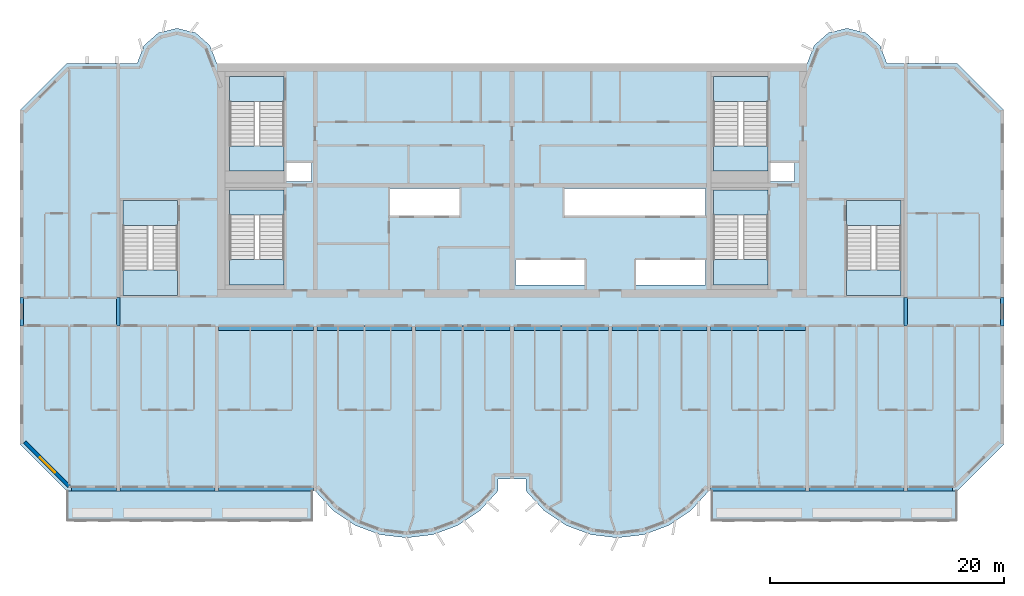
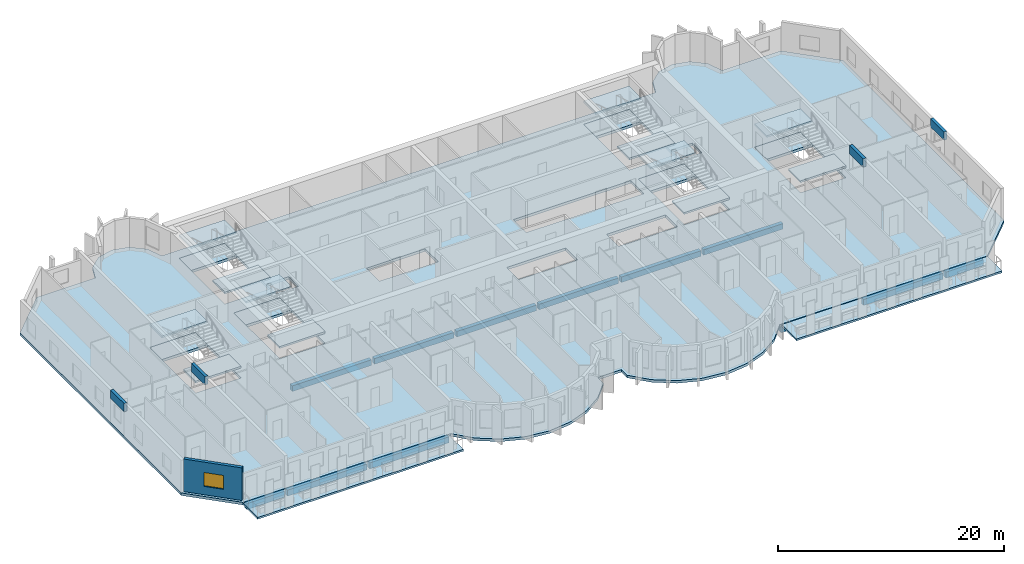
# One storey, part 1 of 13: 21 slabs, 16 beams, 1 wall, 1 window, 1 opening, 6 elements without a shape of their own.
"""IFC4 building model written with IfcOpenShell, lengths in metres."""

from ifc_helpers import new_model, si_unit, direction, frame, frame_2d, origin, origin_2d, place, context, subcontext, project, spatial, polyline, rectangle, outline, extrude, source, transform, mapped, material, layer, layer_set, material_profile, profile_set, type_object, element, fill, aggregate, save


model = new_model("IFC4")

# Units and contexts
model_context = context("Model", 3, precision=1e-05, world=origin(), true_north=direction((0.0, 1.0)))
body_context = subcontext(model_context, "Body", "Model", "MODEL_VIEW")
ifc_project = project(units=[si_unit("LENGTHUNIT", "METRE"), si_unit("AREAUNIT", "SQUARE_METRE"), si_unit("VOLUMEUNIT", "CUBIC_METRE"), si_unit("PLANEANGLEUNIT", "RADIAN"), si_unit("MASSUNIT", "GRAM", prefix="KILO")], contexts=[model_context])

# Site, building, storey
site_placement = place(None, origin())
site = spatial("IfcSite", under=ifc_project, at=site_placement, CompositionType="ELEMENT")
building_placement = place(site_placement, origin())
building = spatial("IfcBuilding", under=site, at=building_placement, Name="Vanashikhar Sky Hotel", CompositionType="ELEMENT")
storey_placement = place(building_placement, frame((0.0, 0.0, 182.0)))
storey = spatial("IfcBuildingStorey", under=building, at=storey_placement, Name="L44", CompositionType="ELEMENT", Elevation=182.0)

# Beams
ifc_material_1 = material(Name="Concrete M50", Category="concrete")
ifc_material_profile_1 = material_profile(ifc_material_1, rectangle(XDim=0.300048828125, YDim=0.89990234375, at=origin_2d()))
ifc_profile_set_1 = profile_set([ifc_material_profile_1], Name="RC 300x900 beam Concrete M50")
beam_type_1 = type_object("IfcBeamType", Name="RC 300x900 beam Concrete M50", PredefinedType="LINTEL", material=ifc_profile_set_1)
shared_shape_1 = source(origin(), body_context, "Body", "SweptSolid", [
    extrude(rectangle(XDim=0.300048828125, YDim=0.89990234375, at=origin_2d()), origin(), (0.0, 0.0, 1.0), 2.39990234375),
])
for number, where, z_axis, x_axis, name in (
    (1, (8.550048828125, 19.60009765625, 3.070068359375), (0.0, 1.0, 0.0), (-1.0, 0.0, 0.0), "LB-L44-XW02"),
    (2, (16.800048828125, 19.60009765625, 3.070068359375), (0.0, 1.0, 0.0), (-1.0, 0.0, 0.0), "LB-L44-XW03"),
    (3, (84.0, 19.60009765625, 3.070068359375), (0.0, 1.0, 0.0), (-1.0, 0.0, 0.0), "LB-L44-XW11"),
    (4, (92.25, 19.60009765625, 3.070068359375), (0.0, 1.0, 0.0), (-1.0, 0.0, 0.0), "LB-L44-XW12"),
):
    element("IfcBeam", number, at=place(storey_placement, frame(where, z_axis=z_axis, x_axis=x_axis)), inside=storey, type_object=beam_type_1, Name=name, PredefinedType="LINTEL", context=body_context, shape_type="MappedRepresentation", body=[
        mapped(shared_shape_1, transform((0.0, 0.0, 0.0), scale=1.0)),
    ])
ifc_material_profile_2 = material_profile(ifc_material_1, rectangle(XDim=0.39990234375, YDim=0.64990234375, at=origin_2d()))
ifc_profile_set_2 = profile_set([ifc_material_profile_2], Name="RC 400x650 beam Concrete M50")
beam_type_2 = type_object("IfcBeamType", Name="RC 400x650 beam Concrete M50", PredefinedType="BEAM", material=ifc_profile_set_2)
shared_shape_2 = source(origin(), body_context, "Body", "SweptSolid", [
    extrude(rectangle(XDim=0.39990234375, YDim=0.64990234375, at=origin_2d()), origin(), (0.0, 0.0, 1.0), 8.10009765625),
])
for number, where, z_axis, x_axis, name in (
    (5, (16.949951171875, 5.699951171875, -0.60498046875), (1.0, 0.0, 0.0), (0.0, 1.0, 0.0), "EB-L44-F01"),
    (6, (75.75, 5.699951171875, -0.60498046875), (1.0, 0.0, 0.0), (0.0, 1.0, 0.0), "EB-L44-F05"),
):
    element("IfcBeam", number, at=place(storey_placement, frame(where, z_axis=z_axis, x_axis=x_axis)), inside=storey, type_object=beam_type_2, Name=name, PredefinedType="BEAM", context=body_context, shape_type="MappedRepresentation", body=[
        mapped(shared_shape_2, transform((0.0, 0.0, 0.0), scale=1.0)),
    ])
shared_shape_3 = source(origin(), body_context, "Body", "SweptSolid", [
    extrude(rectangle(XDim=0.39990234375, YDim=0.64990234375, at=origin_2d()), origin(), (0.0, 0.0, 1.0), 8.099853515625),
])
for number, where, z_axis, x_axis, name in (
    (7, (25.35009765625, 5.699951171875, -0.60498046875), (1.0, 0.0, 0.0), (0.0, 1.0, 0.0), "EB-L44-F02"),
    (8, (67.35009765625, 5.699951171875, -0.60498046875), (1.0, 0.0, 0.0), (0.0, 1.0, 0.0), "EB-L44-F04"),
):
    element("IfcBeam", number, at=place(storey_placement, frame(where, z_axis=z_axis, x_axis=x_axis)), inside=storey, type_object=beam_type_2, Name=name, PredefinedType="BEAM", context=body_context, shape_type="MappedRepresentation", body=[
        mapped(shared_shape_3, transform((0.0, 0.0, 0.0), scale=1.0)),
    ])
ifc_material_profile_3 = material_profile(ifc_material_1, rectangle(XDim=0.39990234375, YDim=0.64990234375, at=origin_2d()))
ifc_profile_set_3 = profile_set([ifc_material_profile_3], Name="RC 400x650 cantilever beam Concrete M50")
beam_type_3 = type_object("IfcBeamType", Name="RC 400x650 cantilever beam Concrete M50", PredefinedType="SPANDREL", material=ifc_profile_set_3)
shared_shape_4 = source(origin(), body_context, "Body", "SweptSolid", [
    extrude(rectangle(XDim=0.39990234375, YDim=0.64990234375, at=origin_2d()), origin(), (0.0, 0.0, 1.0), 3.849853515625),
])
beam_1_placement = place(storey_placement, frame((12.800048828125, 5.699951171875, -0.60498046875), z_axis=(1.0, 0.0, 0.0), x_axis=(0.0, 1.0, 0.0)))
element("IfcBeam", 9, at=beam_1_placement, inside=storey, type_object=beam_type_3, Name="EB-L44-F03", PredefinedType="SPANDREL", context=body_context, shape_type="MappedRepresentation", body=[
    mapped(shared_shape_4, transform((0.0, 0.0, 0.0), scale=1.0)),
])
shared_shape_5 = source(origin(), body_context, "Body", "SweptSolid", [
    extrude(rectangle(XDim=0.39990234375, YDim=0.64990234375, at=origin_2d()), origin(), (0.0, 0.0, 1.0), 3.85009765625),
])
beam_2_placement = place(storey_placement, frame((84.14990234375, 5.699951171875, -0.60498046875), z_axis=(1.0, 0.0, 0.0), x_axis=(0.0, 1.0, 0.0)))
element("IfcBeam", 10, at=beam_2_placement, inside=storey, type_object=beam_type_3, Name="EB-L44-F06", PredefinedType="SPANDREL", context=body_context, shape_type="MappedRepresentation", body=[
    mapped(shared_shape_5, transform((0.0, 0.0, 0.0), scale=1.0)),
])
ifc_material_profile_4 = material_profile(ifc_material_1, rectangle(XDim=0.39990234375, YDim=0.60009765625, at=origin_2d()))
ifc_profile_set_4 = profile_set([ifc_material_profile_4], Name="RC 400x600 beam Concrete M50")
beam_type_4 = type_object("IfcBeamType", Name="RC 400x600 beam Concrete M50", PredefinedType="BEAM", material=ifc_profile_set_4)
shared_shape_6 = source(origin(), body_context, "Body", "SweptSolid", [
    extrude(rectangle(XDim=0.39990234375, YDim=0.60009765625, at=origin_2d()), origin(), (0.0, 0.0, 1.0), 8.099853515625),
])
for number, where, z_axis, x_axis, name in (
    (11, (25.35009765625, 19.39990234375, -0.580078125), (1.0, 0.0, 0.0), (0.0, 1.0, 0.0), "CB-L44-01"),
    (12, (50.550048828125, 19.39990234375, -0.580078125), (1.0, 0.0, 0.0), (0.0, 1.0, 0.0), "CB-L44-04"),
    (13, (67.35009765625, 19.39990234375, -0.580078125), (1.0, 0.0, 0.0), (0.0, 1.0, 0.0), "CB-L44-06"),
):
    element("IfcBeam", number, at=place(storey_placement, frame(where, z_axis=z_axis, x_axis=x_axis)), inside=storey, type_object=beam_type_4, Name=name, PredefinedType="BEAM", context=body_context, shape_type="MappedRepresentation", body=[
        mapped(shared_shape_6, transform((0.0, 0.0, 0.0), scale=1.0)),
    ])
shared_shape_7 = source(origin(), body_context, "Body", "SweptSolid", [
    extrude(rectangle(XDim=0.39990234375, YDim=0.60009765625, at=origin_2d()), origin(), (0.0, 0.0, 1.0), 8.10009765625),
])
for number, where, z_axis, x_axis, name in (
    (14, (33.75, 19.39990234375, -0.580078125), (1.0, 0.0, 0.0), (0.0, 1.0, 0.0), "CB-L44-02"),
    (15, (42.14990234375, 19.39990234375, -0.580078125), (1.0, 0.0, 0.0), (0.0, 1.0, 0.0), "CB-L44-03"),
    (16, (58.949951171875, 19.39990234375, -0.580078125), (1.0, 0.0, 0.0), (0.0, 1.0, 0.0), "CB-L44-05"),
):
    element("IfcBeam", number, at=place(storey_placement, frame(where, z_axis=z_axis, x_axis=x_axis)), inside=storey, type_object=beam_type_4, Name=name, PredefinedType="BEAM", context=body_context, shape_type="MappedRepresentation", body=[
        mapped(shared_shape_7, transform((0.0, 0.0, 0.0), scale=1.0)),
    ])

# Slabs
ifc_material_2 = material(Name="Concrete M40", Category="concrete")
ifc_layer_1 = layer(ifc_material_2, 0.280029296875)
ifc_layer_set_1 = layer_set([ifc_layer_1], Name="Floor slab 280 mm")
slab_type_1 = type_object("IfcSlabType", Name="Floor slab 280 mm", PredefinedType="FLOOR", material=ifc_layer_set_1)
shared_shape_8 = source(origin(), body_context, "Body", "SweptSolid", [
    extrude(outline(polyline([(49.199951171875, 5.5), (49.199951171875, 6.5), (51.60009765625, 6.5), (51.60009765625, 5.5), (53.133056640625, 3.825927734375), (55.01708984375, 2.55810546875), (57.14599609375, 1.76806640625), (59.39990234375, 1.5), (61.654052734375, 1.76806640625), (63.782958984375, 2.55810546875), (65.6669921875, 3.825927734375), (67.199951171875, 5.5), (88.39990234375, 5.5), (92.39990234375, 9.5), (92.39990234375, 38.0), (88.39990234375, 42.0), (82.39990234375, 42.0), (81.81494140625, 43.527099609375), (80.587890625, 44.610107421875), (79.0, 45.0), (77.412109375, 44.610107421875), (76.18505859375, 43.527099609375), (75.60009765625, 42.0), (25.199951171875, 42.0), (24.614990234375, 43.527099609375), (23.387939453125, 44.610107421875), (21.800048828125, 45.0), (20.2119140625, 44.610107421875), (18.985107421875, 43.527099609375), (18.39990234375, 42.0), (12.39990234375, 42.0), (8.39990234375, 38.0), (8.39990234375, 9.5), (12.39990234375, 5.5), (33.60009765625, 5.5), (35.133056640625, 3.825927734375), (37.01708984375, 2.55810546875), (39.14599609375, 1.76806640625), (41.39990234375, 1.5), (43.654052734375, 1.76806640625), (45.782958984375, 2.55810546875), (47.6669921875, 3.825927734375), (49.199951171875, 5.5)]), holes=[polyline([(33.300048828125, 33.60009765625), (31.050048828125, 33.60009765625), (31.050048828125, 31.89990234375), (33.300048828125, 31.89990234375), (33.300048828125, 33.60009765625)]), polyline([(39.89990234375, 31.300048828125), (39.89990234375, 29.0), (45.89990234375, 29.0), (45.89990234375, 31.300048828125), (39.89990234375, 31.300048828125)]), polyline([(50.699951171875, 25.199951171875), (50.699951171875, 23.10009765625), (56.699951171875, 23.10009765625), (56.699951171875, 25.199951171875), (50.699951171875, 25.199951171875)]), polyline([(66.89990234375, 29.0), (66.89990234375, 31.300048828125), (54.89990234375, 31.300048828125), (54.89990234375, 29.0), (66.89990234375, 29.0)]), polyline([(60.89990234375, 25.199951171875), (60.89990234375, 23.10009765625), (66.89990234375, 23.10009765625), (66.89990234375, 25.199951171875), (60.89990234375, 25.199951171875)]), polyline([(74.5, 33.60009765625), (72.35009765625, 33.60009765625), (72.35009765625, 31.89990234375), (74.5, 31.89990234375), (74.5, 33.60009765625)]), polyline([(30.949951171875, 23.10009765625), (30.949951171875, 31.199951171875), (26.300048828125, 31.199951171875), (26.300048828125, 23.10009765625), (30.949951171875, 23.10009765625)]), polyline([(72.25, 23.10009765625), (72.25, 31.199951171875), (67.60009765625, 31.199951171875), (67.60009765625, 23.10009765625), (72.25, 23.10009765625)]), polyline([(30.949951171875, 32.800048828125), (30.949951171875, 40.89990234375), (26.300048828125, 40.89990234375), (26.300048828125, 32.800048828125), (30.949951171875, 32.800048828125)]), polyline([(72.25, 32.800048828125), (72.25, 40.89990234375), (67.60009765625, 40.89990234375), (67.60009765625, 32.800048828125), (72.25, 32.800048828125)]), polyline([(83.60009765625, 22.199951171875), (83.60009765625, 30.300048828125), (78.949951171875, 30.300048828125), (78.949951171875, 22.199951171875), (83.60009765625, 22.199951171875)]), polyline([(21.85009765625, 22.199951171875), (21.85009765625, 30.300048828125), (17.199951171875, 30.300048828125), (17.199951171875, 22.199951171875), (21.85009765625, 22.199951171875)])]), origin(), (0.0, 0.0, 1.0), 0.280029296875),
])
slab_1_placement = place(storey_placement, frame((0.0, 0.0, -0.280029296875)))
element("IfcSlab", 17, at=slab_1_placement, inside=storey, type_object=slab_type_1, Name="Floor slab L44", PredefinedType="FLOOR", context=body_context, shape_type="MappedRepresentation", body=[
    mapped(shared_shape_8, transform((0.0, 0.0, 0.0), scale=1.0)),
])
ifc_layer_2 = layer(ifc_material_2, 0.199951171875)
ifc_layer_set_2 = layer_set([ifc_layer_2], Name="Balcony slab 200 mm")
slab_type_2 = type_object("IfcSlabType", Name="Balcony slab 200 mm", PredefinedType="USERDEFINED", material=ifc_layer_set_2)
shared_shape_9 = source(origin(), body_context, "Body", "SweptSolid", [
    extrude(outline(polyline([(12.39990234375, 2.89990234375), (33.39990234375, 2.89990234375), (33.39990234375, 5.5), (12.39990234375, 5.5), (12.39990234375, 2.89990234375)])), origin(), (0.0, 0.0, 1.0), 0.199951171875),
])
slab_2_placement = place(storey_placement, frame((0.0, 0.0, -0.25)))
element("IfcSlab", 18, at=slab_2_placement, inside=storey, type_object=slab_type_2, Name="Balcony slab L44 1", ObjectType="BALCONY", PredefinedType="USERDEFINED", context=body_context, shape_type="MappedRepresentation", body=[
    mapped(shared_shape_9, transform((0.0, 0.0, 0.0), scale=1.0)),
])
shared_shape_10 = source(origin(), body_context, "Body", "SweptSolid", [
    extrude(outline(polyline([(67.39990234375, 2.89990234375), (88.39990234375, 2.89990234375), (88.39990234375, 5.5), (67.39990234375, 5.5), (67.39990234375, 2.89990234375)])), origin(), (0.0, 0.0, 1.0), 0.199951171875),
])
slab_3_placement = place(storey_placement, frame((0.0, 0.0, -0.25)))
element("IfcSlab", 19, at=slab_3_placement, inside=storey, type_object=slab_type_2, Name="Balcony slab L44 2", ObjectType="BALCONY", PredefinedType="USERDEFINED", context=body_context, shape_type="MappedRepresentation", body=[
    mapped(shared_shape_10, transform((0.0, 0.0, 0.0), scale=1.0)),
])

# Stair, slabs
stair_type = type_object("IfcStairType", Name="Exit stair 2150", PredefinedType="DOUBLE_RETURN_STAIR", material=ifc_material_2)
stair_1_placement = place(storey_placement, origin())
stair_1 = element("IfcStair", 20, at=stair_1_placement, inside=storey, type_object=stair_type, Name="L44 Exit stair 1", PredefinedType="DOUBLE_RETURN_STAIR")
ifc_layer_3 = layer(ifc_material_2, 0.199951171875)
ifc_layer_set_3 = layer_set([ifc_layer_3], Name="Stair landing 200")
slab_type_3 = type_object("IfcSlabType", Name="Stair landing 200", PredefinedType="LANDING", material=ifc_layer_set_3)
shared_shape_11 = source(origin(), body_context, "Body", "SweptSolid", [
    extrude(outline(polyline([(30.949951171875, 23.10009765625), (30.949951171875, 25.25), (26.300048828125, 25.25), (26.300048828125, 23.10009765625), (30.949951171875, 23.10009765625)])), origin(), (0.0, 0.0, 1.0), 0.199951171875),
])
slab_4_placement = place(storey_placement, frame((0.0, 0.0, 1.066650390625)))
slab_4 = element("IfcSlab", 21, at=slab_4_placement, type_object=slab_type_3, Name="ST-C1 landing 1", PredefinedType="LANDING", context=body_context, shape_type="MappedRepresentation", body=[
    mapped(shared_shape_11, transform((0.0, 0.0, 0.0), scale=1.0)),
])
shared_shape_12 = source(origin(), body_context, "Body", "SweptSolid", [
    extrude(outline(polyline([(30.949951171875, 29.050048828125), (30.949951171875, 31.199951171875), (26.300048828125, 31.199951171875), (26.300048828125, 29.050048828125), (30.949951171875, 29.050048828125)])), origin(), (0.0, 0.0, 1.0), 0.2001953125),
])
slab_5_placement = place(storey_placement, frame((0.0, 0.0, 2.333251953125)))
slab_5 = element("IfcSlab", 22, at=slab_5_placement, type_object=slab_type_3, Name="ST-C1 landing 2", PredefinedType="LANDING", context=body_context, shape_type="MappedRepresentation", body=[
    mapped(shared_shape_12, transform((0.0, 0.0, 0.0), scale=1.0)),
])
aggregate(stair_1, [slab_4, slab_5])

# Slab
ifc_layer_4 = layer(ifc_material_2, 0.280029296875)
ifc_layer_set_4 = layer_set([ifc_layer_4], Name="Stair floor landing 280")
slab_type_4 = type_object("IfcSlabType", Name="Stair floor landing 280", PredefinedType="LANDING", material=ifc_layer_set_4)
shared_shape_13 = source(origin(), body_context, "Body", "SweptSolid", [
    extrude(outline(polyline([(30.949951171875, 29.050048828125), (30.949951171875, 31.199951171875), (26.300048828125, 31.199951171875), (26.300048828125, 29.050048828125), (30.949951171875, 29.050048828125)])), origin(), (0.0, 0.0, 1.0), 0.280029296875),
])
slab_6_placement = place(storey_placement, frame((0.0, 0.0, -0.280029296875)))
element("IfcSlab", 23, at=slab_6_placement, inside=storey, type_object=slab_type_4, Name="Exit stair 1 floor landing", PredefinedType="LANDING", context=body_context, shape_type="MappedRepresentation", body=[
    mapped(shared_shape_13, transform((0.0, 0.0, 0.0), scale=1.0)),
])

# Stair, slabs
stair_2_placement = place(storey_placement, origin())
stair_2 = element("IfcStair", 24, at=stair_2_placement, inside=storey, type_object=stair_type, Name="L44 Exit stair 2", PredefinedType="DOUBLE_RETURN_STAIR")
shared_shape_14 = source(origin(), body_context, "Body", "SweptSolid", [
    extrude(outline(polyline([(72.25, 23.10009765625), (72.25, 25.25), (67.60009765625, 25.25), (67.60009765625, 23.10009765625), (72.25, 23.10009765625)])), origin(), (0.0, 0.0, 1.0), 0.199951171875),
])
slab_7_placement = place(storey_placement, frame((0.0, 0.0, 1.066650390625)))
slab_7 = element("IfcSlab", 25, at=slab_7_placement, type_object=slab_type_3, Name="ST-C2 landing 1", PredefinedType="LANDING", context=body_context, shape_type="MappedRepresentation", body=[
    mapped(shared_shape_14, transform((0.0, 0.0, 0.0), scale=1.0)),
])
shared_shape_15 = source(origin(), body_context, "Body", "SweptSolid", [
    extrude(outline(polyline([(72.25, 29.050048828125), (72.25, 31.199951171875), (67.60009765625, 31.199951171875), (67.60009765625, 29.050048828125), (72.25, 29.050048828125)])), origin(), (0.0, 0.0, 1.0), 0.2001953125),
])
slab_8_placement = place(storey_placement, frame((0.0, 0.0, 2.333251953125)))
slab_8 = element("IfcSlab", 26, at=slab_8_placement, type_object=slab_type_3, Name="ST-C2 landing 2", PredefinedType="LANDING", context=body_context, shape_type="MappedRepresentation", body=[
    mapped(shared_shape_15, transform((0.0, 0.0, 0.0), scale=1.0)),
])
aggregate(stair_2, [slab_7, slab_8])

# Slab
shared_shape_16 = source(origin(), body_context, "Body", "SweptSolid", [
    extrude(outline(polyline([(72.25, 29.050048828125), (72.25, 31.199951171875), (67.60009765625, 31.199951171875), (67.60009765625, 29.050048828125), (72.25, 29.050048828125)])), origin(), (0.0, 0.0, 1.0), 0.280029296875),
])
slab_9_placement = place(storey_placement, frame((0.0, 0.0, -0.280029296875)))
element("IfcSlab", 27, at=slab_9_placement, inside=storey, type_object=slab_type_4, Name="Exit stair 2 floor landing", PredefinedType="LANDING", context=body_context, shape_type="MappedRepresentation", body=[
    mapped(shared_shape_16, transform((0.0, 0.0, 0.0), scale=1.0)),
])

# Stair, slabs
stair_3_placement = place(storey_placement, origin())
stair_3 = element("IfcStair", 28, at=stair_3_placement, inside=storey, type_object=stair_type, Name="L44 Exit stair 3", PredefinedType="DOUBLE_RETURN_STAIR")
shared_shape_17 = source(origin(), body_context, "Body", "SweptSolid", [
    extrude(outline(polyline([(21.85009765625, 22.199951171875), (21.85009765625, 24.35009765625), (17.199951171875, 24.35009765625), (17.199951171875, 22.199951171875), (21.85009765625, 22.199951171875)])), origin(), (0.0, 0.0, 1.0), 0.199951171875),
])
slab_10_placement = place(storey_placement, frame((0.0, 0.0, 1.066650390625)))
slab_10 = element("IfcSlab", 29, at=slab_10_placement, type_object=slab_type_3, Name="ST-W landing 1", PredefinedType="LANDING", context=body_context, shape_type="MappedRepresentation", body=[
    mapped(shared_shape_17, transform((0.0, 0.0, 0.0), scale=1.0)),
])
shared_shape_18 = source(origin(), body_context, "Body", "SweptSolid", [
    extrude(outline(polyline([(21.85009765625, 28.14990234375), (21.85009765625, 30.300048828125), (17.199951171875, 30.300048828125), (17.199951171875, 28.14990234375), (21.85009765625, 28.14990234375)])), origin(), (0.0, 0.0, 1.0), 0.2001953125),
])
slab_11_placement = place(storey_placement, frame((0.0, 0.0, 2.333251953125)))
slab_11 = element("IfcSlab", 30, at=slab_11_placement, type_object=slab_type_3, Name="ST-W landing 2", PredefinedType="LANDING", context=body_context, shape_type="MappedRepresentation", body=[
    mapped(shared_shape_18, transform((0.0, 0.0, 0.0), scale=1.0)),
])
aggregate(stair_3, [slab_10, slab_11])

# Slab
shared_shape_19 = source(origin(), body_context, "Body", "SweptSolid", [
    extrude(outline(polyline([(21.85009765625, 28.14990234375), (21.85009765625, 30.300048828125), (17.199951171875, 30.300048828125), (17.199951171875, 28.14990234375), (21.85009765625, 28.14990234375)])), origin(), (0.0, 0.0, 1.0), 0.280029296875),
])
slab_12_placement = place(storey_placement, frame((0.0, 0.0, -0.280029296875)))
element("IfcSlab", 31, at=slab_12_placement, inside=storey, type_object=slab_type_4, Name="Exit stair 3 floor landing", PredefinedType="LANDING", context=body_context, shape_type="MappedRepresentation", body=[
    mapped(shared_shape_19, transform((0.0, 0.0, 0.0), scale=1.0)),
])

# Stair, slabs
stair_4_placement = place(storey_placement, origin())
stair_4 = element("IfcStair", 32, at=stair_4_placement, inside=storey, type_object=stair_type, Name="L44 Exit stair 4", PredefinedType="DOUBLE_RETURN_STAIR")
shared_shape_20 = source(origin(), body_context, "Body", "SweptSolid", [
    extrude(outline(polyline([(83.60009765625, 22.199951171875), (83.60009765625, 24.35009765625), (78.949951171875, 24.35009765625), (78.949951171875, 22.199951171875), (83.60009765625, 22.199951171875)])), origin(), (0.0, 0.0, 1.0), 0.199951171875),
])
slab_13_placement = place(storey_placement, frame((0.0, 0.0, 1.066650390625)))
slab_13 = element("IfcSlab", 33, at=slab_13_placement, type_object=slab_type_3, Name="ST-E landing 1", PredefinedType="LANDING", context=body_context, shape_type="MappedRepresentation", body=[
    mapped(shared_shape_20, transform((0.0, 0.0, 0.0), scale=1.0)),
])
shared_shape_21 = source(origin(), body_context, "Body", "SweptSolid", [
    extrude(outline(polyline([(83.60009765625, 28.14990234375), (83.60009765625, 30.300048828125), (78.949951171875, 30.300048828125), (78.949951171875, 28.14990234375), (83.60009765625, 28.14990234375)])), origin(), (0.0, 0.0, 1.0), 0.2001953125),
])
slab_14_placement = place(storey_placement, frame((0.0, 0.0, 2.333251953125)))
slab_14 = element("IfcSlab", 34, at=slab_14_placement, type_object=slab_type_3, Name="ST-E landing 2", PredefinedType="LANDING", context=body_context, shape_type="MappedRepresentation", body=[
    mapped(shared_shape_21, transform((0.0, 0.0, 0.0), scale=1.0)),
])
aggregate(stair_4, [slab_13, slab_14])

# Slab
shared_shape_22 = source(origin(), body_context, "Body", "SweptSolid", [
    extrude(outline(polyline([(83.60009765625, 28.14990234375), (83.60009765625, 30.300048828125), (78.949951171875, 30.300048828125), (78.949951171875, 28.14990234375), (83.60009765625, 28.14990234375)])), origin(), (0.0, 0.0, 1.0), 0.280029296875),
])
slab_15_placement = place(storey_placement, frame((0.0, 0.0, -0.280029296875)))
element("IfcSlab", 35, at=slab_15_placement, inside=storey, type_object=slab_type_4, Name="Exit stair 4 floor landing", PredefinedType="LANDING", context=body_context, shape_type="MappedRepresentation", body=[
    mapped(shared_shape_22, transform((0.0, 0.0, 0.0), scale=1.0)),
])

# Stair, slabs
stair_5_placement = place(storey_placement, origin())
stair_5 = element("IfcStair", 36, at=stair_5_placement, inside=storey, type_object=stair_type, Name="L44 Exit stair 5", PredefinedType="DOUBLE_RETURN_STAIR")
shared_shape_23 = source(origin(), body_context, "Body", "SweptSolid", [
    extrude(outline(polyline([(30.949951171875, 32.800048828125), (30.949951171875, 34.949951171875), (26.300048828125, 34.949951171875), (26.300048828125, 32.800048828125), (30.949951171875, 32.800048828125)])), origin(), (0.0, 0.0, 1.0), 0.199951171875),
])
slab_16_placement = place(storey_placement, frame((0.0, 0.0, 1.066650390625)))
slab_16 = element("IfcSlab", 37, at=slab_16_placement, type_object=slab_type_3, Name="ST-C3 landing 1", PredefinedType="LANDING", context=body_context, shape_type="MappedRepresentation", body=[
    mapped(shared_shape_23, transform((0.0, 0.0, 0.0), scale=1.0)),
])
shared_shape_24 = source(origin(), body_context, "Body", "SweptSolid", [
    extrude(outline(polyline([(30.949951171875, 38.75), (30.949951171875, 40.89990234375), (26.300048828125, 40.89990234375), (26.300048828125, 38.75), (30.949951171875, 38.75)])), origin(), (0.0, 0.0, 1.0), 0.2001953125),
])
slab_17_placement = place(storey_placement, frame((0.0, 0.0, 2.333251953125)))
slab_17 = element("IfcSlab", 38, at=slab_17_placement, type_object=slab_type_3, Name="ST-C3 landing 2", PredefinedType="LANDING", context=body_context, shape_type="MappedRepresentation", body=[
    mapped(shared_shape_24, transform((0.0, 0.0, 0.0), scale=1.0)),
])
aggregate(stair_5, [slab_16, slab_17])

# Slab
shared_shape_25 = source(origin(), body_context, "Body", "SweptSolid", [
    extrude(outline(polyline([(30.949951171875, 38.75), (30.949951171875, 40.89990234375), (26.300048828125, 40.89990234375), (26.300048828125, 38.75), (30.949951171875, 38.75)])), origin(), (0.0, 0.0, 1.0), 0.280029296875),
])
slab_18_placement = place(storey_placement, frame((0.0, 0.0, -0.280029296875)))
element("IfcSlab", 39, at=slab_18_placement, inside=storey, type_object=slab_type_4, Name="Exit stair 5 floor landing", PredefinedType="LANDING", context=body_context, shape_type="MappedRepresentation", body=[
    mapped(shared_shape_25, transform((0.0, 0.0, 0.0), scale=1.0)),
])

# Stair, slabs
stair_6_placement = place(storey_placement, origin())
stair_6 = element("IfcStair", 40, at=stair_6_placement, inside=storey, type_object=stair_type, Name="L44 Exit stair 6", PredefinedType="DOUBLE_RETURN_STAIR")
shared_shape_26 = source(origin(), body_context, "Body", "SweptSolid", [
    extrude(outline(polyline([(72.25, 32.800048828125), (72.25, 34.949951171875), (67.60009765625, 34.949951171875), (67.60009765625, 32.800048828125), (72.25, 32.800048828125)])), origin(), (0.0, 0.0, 1.0), 0.199951171875),
])
slab_19_placement = place(storey_placement, frame((0.0, 0.0, 1.066650390625)))
slab_19 = element("IfcSlab", 41, at=slab_19_placement, type_object=slab_type_3, Name="ST-C4 landing 1", PredefinedType="LANDING", context=body_context, shape_type="MappedRepresentation", body=[
    mapped(shared_shape_26, transform((0.0, 0.0, 0.0), scale=1.0)),
])
shared_shape_27 = source(origin(), body_context, "Body", "SweptSolid", [
    extrude(outline(polyline([(72.25, 38.75), (72.25, 40.89990234375), (67.60009765625, 40.89990234375), (67.60009765625, 38.75), (72.25, 38.75)])), origin(), (0.0, 0.0, 1.0), 0.2001953125),
])
slab_20_placement = place(storey_placement, frame((0.0, 0.0, 2.333251953125)))
slab_20 = element("IfcSlab", 42, at=slab_20_placement, type_object=slab_type_3, Name="ST-C4 landing 2", PredefinedType="LANDING", context=body_context, shape_type="MappedRepresentation", body=[
    mapped(shared_shape_27, transform((0.0, 0.0, 0.0), scale=1.0)),
])
aggregate(stair_6, [slab_19, slab_20])

# Slab
shared_shape_28 = source(origin(), body_context, "Body", "SweptSolid", [
    extrude(outline(polyline([(72.25, 38.75), (72.25, 40.89990234375), (67.60009765625, 40.89990234375), (67.60009765625, 38.75), (72.25, 38.75)])), origin(), (0.0, 0.0, 1.0), 0.280029296875),
])
slab_21_placement = place(storey_placement, frame((0.0, 0.0, -0.280029296875)))
element("IfcSlab", 43, at=slab_21_placement, inside=storey, type_object=slab_type_4, Name="Exit stair 6 floor landing", PredefinedType="LANDING", context=body_context, shape_type="MappedRepresentation", body=[
    mapped(shared_shape_28, transform((0.0, 0.0, 0.0), scale=1.0)),
])

# Wall, opening, window
ifc_layer_5 = layer(ifc_material_1, 0.300048828125)
ifc_layer_set_5 = layer_set([ifc_layer_5], Name="Lobe wall 300")
wall_type = type_object("IfcWallType", Name="Lobe wall 300", PredefinedType="SOLIDWALL", material=ifc_layer_set_5)
shared_shape_29 = source(origin(), body_context, "Body", "SweptSolid", [
    extrude(rectangle(XDim=5.32568359375, YDim=0.300048828125, at=frame_2d((2.662841796875, 0.0))), origin(), (0.0, 0.0, 1.0), 3.52001953125),
])
wall_placement = place(storey_placement, frame((8.800048828125, 9.665771484375, 0.0), z_axis=(0.0, 0.0, 1.0), x_axis=(0.707083859269, -0.707129702361, 0.0)))
wall = element("IfcWall", 44, at=wall_placement, inside=storey, type_object=wall_type, Name="Corner wall", PredefinedType="SOLIDWALL", context=body_context, shape_type="MappedRepresentation", body=[
    mapped(shared_shape_29, transform((0.0, 0.0, 0.0), scale=1.0)),
])
shared_shape_30 = source(origin(), body_context, "Body", "SweptSolid", [
    extrude(rectangle(XDim=1.800048828125, YDim=1.5, at=frame_2d((0.89990234375, 0.75))), frame((0.0, 0.16015625, 0.0), z_axis=(0.0, -1.0, 0.0), x_axis=(1.0, 0.0, 0.0)), (0.0, 0.0, 1.0), 0.320068359375),
])
opening_placement = place(wall_placement, frame((1.8359375, 0.0, 0.89990234375)))
opening = element("IfcOpeningElement", 45, at=opening_placement, cuts=wall, Name="Opening WN-4", PredefinedType="OPENING", context=body_context, shape_type="MappedRepresentation", body=[
    mapped(shared_shape_30, transform((0.0, 0.0, 0.0), scale=1.0)),
])
ifc_material_3 = material(Name="Glass", Category="glass")
window_type = type_object("IfcWindowType", Name="Corner window 1800 x 1500", PartitioningType="SINGLE_PANEL", PredefinedType="WINDOW", material=ifc_material_3)
shared_shape_31 = source(origin(), body_context, "Body", "SweptSolid", [
    extrude(rectangle(XDim=1.800048828125, YDim=1.5, at=frame_2d((0.89990234375, 0.75))), frame((0.0, 0.030029296875, 0.0), z_axis=(0.0, -1.0, 0.0), x_axis=(1.0, 0.0, 0.0)), (0.0, 0.0, 1.0), 0.06005859375),
])
window_placement = place(opening_placement, origin())
window = element("IfcWindow", 46, at=window_placement, inside=storey, type_object=window_type, Name="Window WN-4", OverallHeight=1.5, OverallWidth=1.800048828125, PartitioningType="SINGLE_PANEL", PredefinedType="WINDOW", context=body_context, shape_type="MappedRepresentation", body=[
    mapped(shared_shape_31, transform((0.0, 0.0, 0.0), scale=1.0)),
])
fill(opening, window)

save(model, "model.ifc")
